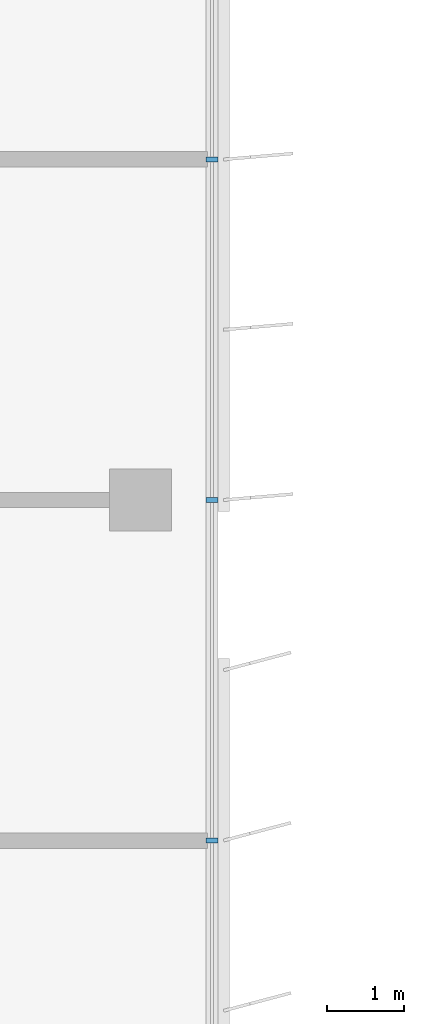
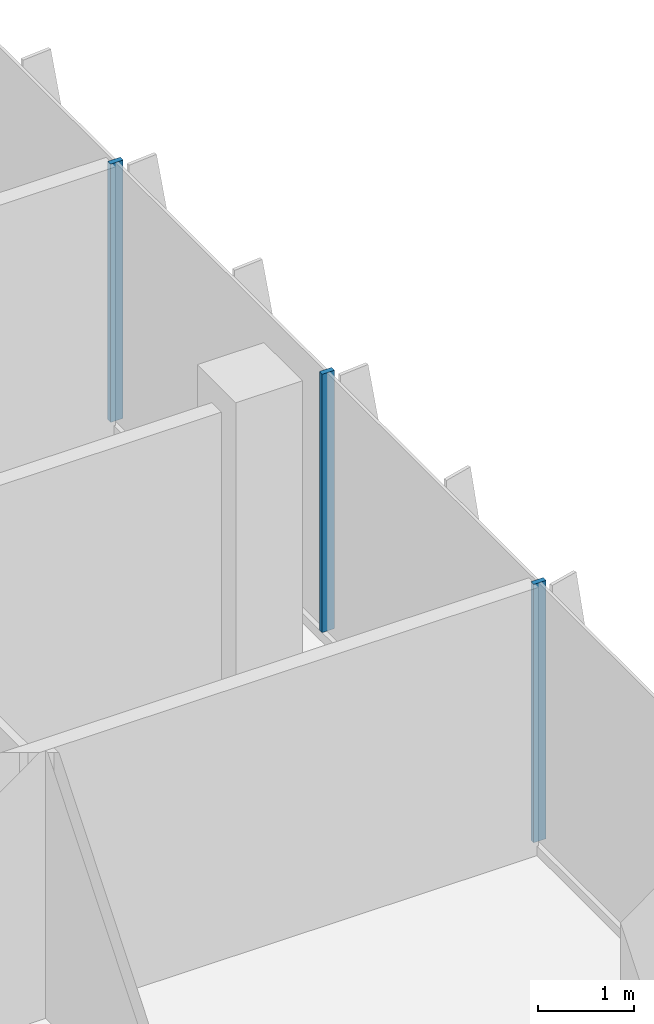
# One storey, part 4 of 17: 3 members, 1 element without a shape of its own.
"""IFC4 building model written with IfcOpenShell, lengths in metres."""

import ifcopenshell
import ifcopenshell.guid

model = None  # the IFC model being written
_history = None  # IfcOwnerHistory: only IFC2X3 demands one
_inside = {}  # id of a spatial element -> (the spatial element, [elements in it])
_under = {}  # id of a project, library or spatial element -> (it, [spatial elements below it])
_declared = {}  # id of a project -> (the project, [libraries it declares])
_typed = {}  # id of a type object -> (the type object, [elements of that type])
_made_of = {}  # id of a material, layer set ... -> (it, [elements and type objects made of it])


def new_model(schema):
    """Start an empty IFC model of exactly this schema.

    Asked for "IFC4X3", IfcOpenShell would pick the latest addendum, in which some entities
    have other attributes; the version numbers below select the first issue.
    IFC2X3 requires an IfcOwnerHistory on every rooted entity: one is made here for all.
    """
    global model, _history
    if schema == "IFC4X3":
        model = ifcopenshell.file(schema_version=(4, 3, 0, 0))
    else:
        model = ifcopenshell.file(schema=schema)
    _inside.clear()
    _under.clear()
    _declared.clear()
    _typed.clear()
    _made_of.clear()
    _history = None
    if model.schema == "IFC2X3":
        org = make("IfcOrganization", Name="unknown")
        user = make(
            "IfcPersonAndOrganization",
            ThePerson=make("IfcPerson", FamilyName="unknown"),
            TheOrganization=org,
        )
        app = make(
            "IfcApplication",
            ApplicationDeveloper=org,
            Version="unknown",
            ApplicationFullName="unknown",
            ApplicationIdentifier="unknown",
        )
        _history = make(
            "IfcOwnerHistory",
            OwningUser=user,
            OwningApplication=app,
            ChangeAction="ADDED",
            CreationDate=0,
        )
    return model


def make(cls, **values):
    """One entity of the class cls with the attributes given. An attribute that is None is left unset."""
    return model.create_entity(
        cls, **{name: value for name, value in values.items() if value is not None}
    )


def rooted(cls, **values):
    """An entity with a GlobalId (a new one), such as an element, a storey or a relation."""
    return make(cls, GlobalId=ifcopenshell.guid.new(), OwnerHistory=_history, **values)


def si_unit(unit_type, name, prefix=None):
    """IfcSIUnit, for example si_unit("LENGTHUNIT", "METRE", prefix="MILLI")."""
    return make("IfcSIUnit", UnitType=unit_type, Prefix=prefix, Name=name)


def assignment(units):
    """IfcUnitAssignment: the units of a project."""
    return None if units is None else make("IfcUnitAssignment", Units=units)


def point(xyz):
    """IfcCartesianPoint."""
    return None if xyz is None else make("IfcCartesianPoint", Coordinates=xyz)


def direction(xyz):
    """IfcDirection."""
    return None if xyz is None else make("IfcDirection", DirectionRatios=xyz)


def frame(location, z_axis=None, x_axis=None):
    """IfcAxis2Placement3D, a coordinate frame: its origin and axes. An axis left out is left unset."""
    return make(
        "IfcAxis2Placement3D",
        Location=point(location),
        Axis=direction(z_axis),
        RefDirection=direction(x_axis),
    )


def frame_2d(location, x_axis=None):
    """IfcAxis2Placement2D, a coordinate frame in the plane: its origin and x axis."""
    return make(
        "IfcAxis2Placement2D", Location=point(location), RefDirection=direction(x_axis)
    )


def origin():
    """The frame at (0, 0, 0) with its axes left unset."""
    return frame((0.0, 0.0, 0.0))


def origin_2d():
    """The frame at (0, 0) in the plane with its x axis left unset."""
    return frame_2d((0.0, 0.0))


def place(relative_to, where):
    """IfcLocalPlacement: puts the frame where relative to a parent placement (None: the world)."""
    return make(
        "IfcLocalPlacement", PlacementRelTo=relative_to, RelativePlacement=where
    )


def context(
    kind, dimensions, precision=None, world=None, true_north=None, identifier=None
):
    """IfcGeometricRepresentationContext, for example the 3D "Model" context."""
    return make(
        "IfcGeometricRepresentationContext",
        ContextIdentifier=identifier,
        ContextType=kind,
        CoordinateSpaceDimension=dimensions,
        Precision=precision,
        WorldCoordinateSystem=world,
        TrueNorth=true_north,
    )


def subcontext(parent, identifier, kind, view, scale=None):
    """IfcGeometricRepresentationSubContext, for example "Body" below "Model"."""
    return make(
        "IfcGeometricRepresentationSubContext",
        ContextIdentifier=identifier,
        ContextType=kind,
        ParentContext=parent,
        TargetScale=scale,
        TargetView=view,
    )


def project(units=None, contexts=None):
    """IfcProject with its units and contexts."""
    return rooted(
        "IfcProject",
        Name="project",
        RepresentationContexts=contexts,
        UnitsInContext=assignment(units),
    )


def spatial(cls, under=None, at=None, **own):
    """A site, building, storey or space (cls), placed at a placement, below another one or the project."""
    s = rooted(cls, ObjectPlacement=at, **own)
    if under is not None:
        _under.setdefault(under.id(), (under, []))[1].append(s)
    return s


def profile(cls, at=None, kind="AREA", **sizes):
    """A parametric profile (cls). Its sizes go by their IFC names, for example OverallWidth=200.0."""
    return make(cls, ProfileType=kind, Position=at, **sizes)


def rectangle(**sizes):
    """IfcRectangleProfileDef."""
    return profile("IfcRectangleProfileDef", **sizes)


def extrude(swept, where, along, depth):
    """IfcExtrudedAreaSolid: the profile swept, set in the frame where, extruded along a direction by depth."""
    return make(
        "IfcExtrudedAreaSolid",
        SweptArea=swept,
        Position=where,
        ExtrudedDirection=direction(along),
        Depth=depth,
    )


def shape(context_of_items, identifier, shape_type, items):
    """IfcShapeRepresentation: the items that make up one representation, for example the "Body"."""
    return make(
        "IfcShapeRepresentation",
        ContextOfItems=context_of_items,
        RepresentationIdentifier=identifier,
        RepresentationType=shape_type,
        Items=items,
    )


def source(mapping_origin, context_of_items, identifier, shape_type, items):
    """IfcRepresentationMap: a shape defined once, which mapped items show again and again."""
    return make(
        "IfcRepresentationMap",
        MappingOrigin=mapping_origin,
        MappedRepresentation=shape(context_of_items, identifier, shape_type, items),
    )


def transform(
    local_origin,
    x_axis=None,
    y_axis=None,
    z_axis=None,
    scale=None,
    scale2=None,
    scale3=None,
    uniform=True,
):
    """IfcCartesianTransformationOperator3D, or its non-uniform kind. x_axis, y_axis, z_axis: its Axis1, 2, 3."""
    if uniform:
        return make(
            "IfcCartesianTransformationOperator3D",
            Axis1=direction(x_axis),
            Axis2=direction(y_axis),
            LocalOrigin=point(local_origin),
            Scale=scale,
            Axis3=direction(z_axis),
        )
    return make(
        "IfcCartesianTransformationOperator3DnonUniform",
        Axis1=direction(x_axis),
        Axis2=direction(y_axis),
        LocalOrigin=point(local_origin),
        Scale=scale,
        Axis3=direction(z_axis),
        Scale2=scale2,
        Scale3=scale3,
    )


def mapped(mapping_source, mapping_target):
    """IfcMappedItem: shows the shape of a source again, moved by a transform."""
    return make(
        "IfcMappedItem", MappingSource=mapping_source, MappingTarget=mapping_target
    )


def material(Name=None, Category=None):
    """IfcMaterial."""
    return make("IfcMaterial", Name=Name, Category=Category)


def material_profile(
    of_material, cross_section, Name=None, Category=None, Priority=None
):
    """IfcMaterialProfile: a cross section and its material."""
    return make(
        "IfcMaterialProfile",
        Name=Name,
        Material=of_material,
        Profile=cross_section,
        Priority=Priority,
        Category=Category,
    )


def profile_set(profiles, Name=None, composite=None):
    """IfcMaterialProfileSet."""
    return make(
        "IfcMaterialProfileSet",
        Name=Name,
        MaterialProfiles=profiles,
        CompositeProfile=composite,
    )


def made_of(thing, what):
    """Note that an element or type object is made of a material, layer set ...; save() writes the relation."""
    if what is not None:
        _made_of.setdefault(what.id(), (what, []))[1].append(thing)
    return thing


def type_object(cls, material=None, **own):
    """A type object (cls), such as IfcWallType, which elements share."""
    return made_of(rooted(cls, **own), material)


def element(
    cls,
    number,
    at=None,
    inside=None,
    cuts=None,
    type_object=None,
    material=None,
    context=None,
    identifier="Body",
    shape_type=None,
    held_by="IfcProductDefinitionShape",
    body=None,
    shapes=None,
    **own,
):
    """One element of the class cls, such as IfcWall. Its Tag is "e" and its number.

    at: its placement. inside: the storey or other place that contains it. cuts: it is an
    opening in that element (IfcRelVoidsElement). A single representation is given by context,
    identifier, shape_type and body (its items); several are given by shapes. held_by: the class
    of the entity that holds the representations. save() writes the other relations.
    """
    e = rooted(cls, Tag="e%d" % number, ObjectPlacement=at, **own)
    if body is not None:
        shapes = [shape(context, identifier, shape_type, body)]
    if shapes is not None:
        e.Representation = make(held_by, Representations=shapes)
    if inside is not None:
        _inside.setdefault(inside.id(), (inside, []))[1].append(e)
    if cuts is not None:
        rooted(
            "IfcRelVoidsElement", RelatingBuildingElement=cuts, RelatedOpeningElement=e
        )
    if type_object is not None:
        _typed.setdefault(type_object.id(), (type_object, []))[1].append(e)
    return made_of(e, material)


def aggregate(whole, parts):
    """IfcRelAggregates: a whole, such as a stair, and the parts it consists of."""
    return rooted("IfcRelAggregates", RelatingObject=whole, RelatedObjects=parts)


def save(model, path):
    """Write the relations noted so far, then the file.

    IfcRelAggregates (storeys below a building ...), IfcRelContainedInSpatialStructure (elements
    in a storey), IfcRelDefinesByType, IfcRelAssociatesMaterial and IfcRelDeclares: one each for
    every whole, place, type object, material and project.
    """
    for whole, parts in _under.values():
        aggregate(whole, parts)
    for where, things in _inside.values():
        rooted(
            "IfcRelContainedInSpatialStructure",
            RelatedElements=things,
            RelatingStructure=where,
        )
    for kind, things in _typed.values():
        rooted("IfcRelDefinesByType", RelatedObjects=things, RelatingType=kind)
    for what, things in _made_of.values():
        rooted("IfcRelAssociatesMaterial", RelatedObjects=things, RelatingMaterial=what)
    for by, libraries in _declared.values():
        rooted("IfcRelDeclares", RelatingContext=by, RelatedDefinitions=libraries)
    model.write(path)


model = new_model("IFC4")

# Units and contexts
model_context = context("Model", 3, precision=1e-05, world=origin(), true_north=direction((0.0, 1.0)))
body_context = subcontext(model_context, "Body", "Model", "MODEL_VIEW")
ifc_project = project(units=[si_unit("LENGTHUNIT", "METRE"), si_unit("AREAUNIT", "SQUARE_METRE"), si_unit("VOLUMEUNIT", "CUBIC_METRE"), si_unit("PLANEANGLEUNIT", "RADIAN"), si_unit("MASSUNIT", "GRAM", prefix="KILO")], contexts=[model_context])

# Site, building, storey
site_placement = place(None, origin())
site = spatial("IfcSite", under=ifc_project, at=site_placement, CompositionType="ELEMENT")
building_placement = place(site_placement, origin())
building = spatial("IfcBuilding", under=site, at=building_placement, Name="Kemantara Hotel Tower", CompositionType="ELEMENT")
storey_placement = place(building_placement, frame((0.0, 0.0, 222.800048828125)))
storey = spatial("IfcBuildingStorey", under=building, at=storey_placement, Name="L55", CompositionType="ELEMENT", Elevation=222.800048828125)

# Curtain wall, members
ifc_material_1 = material(Name="Low-E tinted double insulated glass 36 mm", Category="glass")
curtain_wall_type = type_object("IfcCurtainWallType", Name="TOWER CURTAIN WALL, FRONT FACES", PredefinedType="USERDEFINED", material=ifc_material_1)
curtain_wall_placement = place(storey_placement, origin())
curtain_wall = element("IfcCurtainWall", 1, at=curtain_wall_placement, inside=storey, type_object=curtain_wall_type, Name="CW4 L55 T4-R15-1", ObjectType="TOWER CURTAIN WALL, FRONT FACES", PredefinedType="USERDEFINED")
ifc_material_2 = material(Name="Aluminium 6063-T6 bronze anodised", Category="aluminium")
ifc_material_profile = material_profile(ifc_material_2, rectangle(XDim=0.14990234375, YDim=0.06005859375, at=origin_2d()), Name="TOWER CURTAIN WALL, FRONT FACES MULLION")
ifc_profile_set = profile_set([ifc_material_profile], Name="Aluminium 6063-T6 bronze anodised")
member_type = type_object("IfcMemberType", Name="TOWER CURTAIN WALL, FRONT FACES MULLION", PredefinedType="MULLION", material=ifc_profile_set)
shared_shape = source(origin(), body_context, "Body", "SweptSolid", [
    extrude(rectangle(XDim=0.14990234375, YDim=0.06005859375, at=origin_2d()), origin(), (0.0, 0.0, 1.0), 3.280029296875),
])
member_1_placement = place(storey_placement, frame((21.925048828125, 31.800048828125, 0.119873046875), z_axis=(0.0, 0.0, 1.0), x_axis=(-1.0, 0.0, 0.0)))
member_1 = element("IfcMember", 2, at=member_1_placement, type_object=member_type, Name="CW4 mullion T4-R15-1.3", PredefinedType="MULLION", context=body_context, shape_type="MappedRepresentation", body=[
    mapped(shared_shape, transform((0.0, 0.0, 0.0))),
])
member_2_placement = place(storey_placement, frame((21.925048828125, 36.199951171875, 0.119873046875), z_axis=(0.0, 0.0, 1.0), x_axis=(-1.0, 0.0, 0.0)))
member_2 = element("IfcMember", 3, at=member_2_placement, type_object=member_type, Name="CW4 mullion T4-R15-1.4", PredefinedType="MULLION", context=body_context, shape_type="MappedRepresentation", body=[
    mapped(shared_shape, transform((0.0, 0.0, 0.0))),
])
member_3_placement = place(storey_placement, frame((21.925048828125, 40.60009765625, 0.119873046875), z_axis=(0.0, 0.0, 1.0), x_axis=(-1.0, 0.0, 0.0)))
member_3 = element("IfcMember", 4, at=member_3_placement, type_object=member_type, Name="CW4 mullion T4-R15-1.5", PredefinedType="MULLION", context=body_context, shape_type="MappedRepresentation", body=[
    mapped(shared_shape, transform((0.0, 0.0, 0.0))),
])
aggregate(curtain_wall, [member_1, member_2, member_3])

save(model, "model.ifc")
